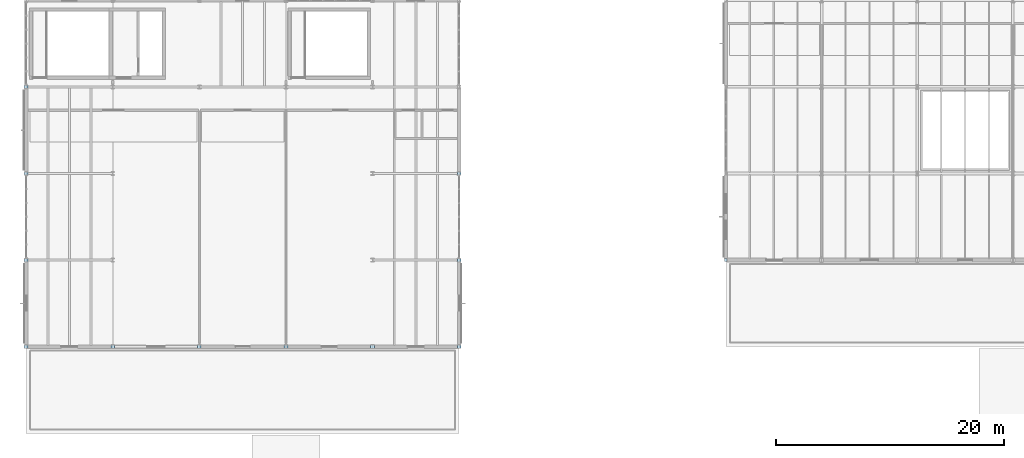
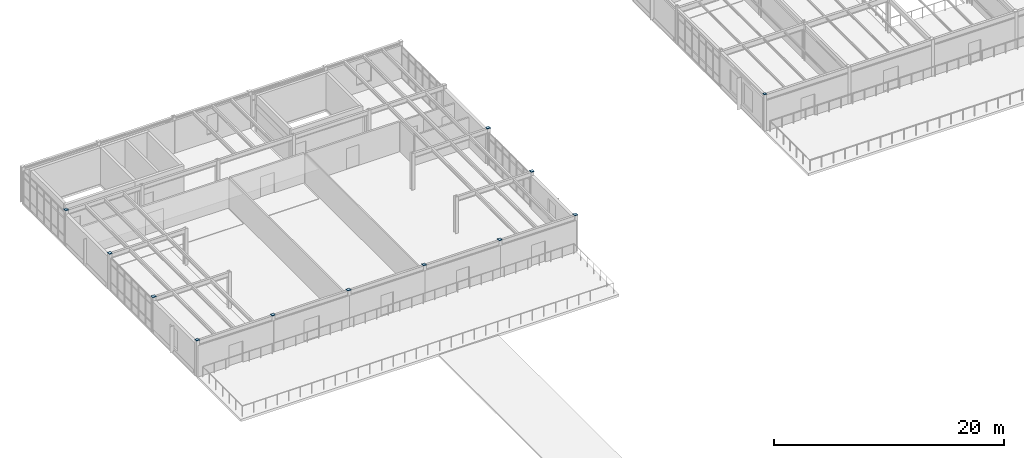
# One storey, part 80 of 114: 12 plates.
"""IFC4 building model written with IfcOpenShell, lengths in metres."""

from ifc_helpers import new_model, si_unit, direction, frame, origin, origin_2d, place, context, subcontext, project, spatial, rectangle, extrude, material, layer, layer_set, type_object, element, save


model = new_model("IFC4")

# Units and contexts
model_context = context("Model", 3, precision=1e-05, world=origin(), true_north=direction((0.0, 1.0)))
body_context = subcontext(model_context, "Body", "Model", "MODEL_VIEW")
ifc_project = project(units=[si_unit("LENGTHUNIT", "METRE"), si_unit("AREAUNIT", "SQUARE_METRE"), si_unit("VOLUMEUNIT", "CUBIC_METRE"), si_unit("PLANEANGLEUNIT", "RADIAN"), si_unit("MASSUNIT", "GRAM", prefix="KILO")], contexts=[model_context])

# Site, building, storey
site_placement = place(None, origin())
site = spatial("IfcSite", under=ifc_project, at=site_placement, CompositionType="ELEMENT")
building_placement = place(site_placement, origin())
building = spatial("IfcBuilding", under=site, at=building_placement, Name="Montecoro Central Library", CompositionType="ELEMENT")
storey_placement = place(building_placement, frame((0.0, 0.0, 13.260009765625)))
storey = spatial("IfcBuildingStorey", under=building, at=storey_placement, Name="L03", CompositionType="ELEMENT", Elevation=13.260009765625)

# Plates
ifc_material = material(Name="Steel S355", Category="steel")
ifc_layer = layer(ifc_material, 0.01611328125)
ifc_layer_set = layer_set([ifc_layer], Name="Steel S355")
plate_type = type_object("IfcPlateType", Name="PLT-CAP-16", PredefinedType="SHEET", material=ifc_layer_set)
plate_placement = place(storey_placement, frame((66.39990234375, 88.60009765625, 3.885009765625), z_axis=(0.0, 0.0, 1.0), x_axis=(1.0, 0.0, 0.0)))
element("IfcPlate", 1, at=plate_placement, inside=storey, type_object=plate_type, Name="V2-L03-CAPPL-9-M", PredefinedType="SHEET", context=body_context, shape_type="SweptSolid", body=[
    extrude(rectangle(XDim=0.239990234375, YDim=0.239990234375, at=origin_2d()), origin(), (0.0, 0.0, 1.0), 0.01611328125),
])
for number, where, z_axis, x_axis, name in (
    (2, (5.0, 81.0, 3.869873046875), (0.0, 0.0, 1.0), (1.0, 0.0, 0.0), "V4-L03-CAPPL-1-L"),
    (3, (5.0, 88.60009765625, 3.869873046875), (0.0, 0.0, 1.0), (1.0, 0.0, 0.0), "V4-L03-CAPPL-1-M"),
    (4, (5.0, 96.199951171875, 3.869873046875), (0.0, 0.0, 1.0), (1.0, 0.0, 0.0), "V4-L03-CAPPL-1-N"),
    (5, (5.0, 103.800048828125, 3.869873046875), (0.0, 0.0, 1.0), (1.0, 0.0, 0.0), "V4-L03-CAPPL-1-P"),
    (6, (12.60009765625, 81.0, 3.869873046875), (0.0, 0.0, 1.0), (1.0, 0.0, 0.0), "V4-L03-CAPPL-2-L"),
    (7, (20.199951171875, 81.0, 3.869873046875), (0.0, 0.0, 1.0), (1.0, 0.0, 0.0), "V4-L03-CAPPL-3-L"),
    (8, (27.800048828125, 81.0, 3.869873046875), (0.0, 0.0, 1.0), (1.0, 0.0, 0.0), "V4-L03-CAPPL-4-L"),
    (9, (35.39990234375, 81.0, 3.869873046875), (0.0, 0.0, 1.0), (1.0, 0.0, 0.0), "V4-L03-CAPPL-5-L"),
    (10, (43.0, 81.0, 3.869873046875), (0.0, 0.0, 1.0), (1.0, 0.0, 0.0), "V4-L03-CAPPL-6-L"),
    (11, (43.0, 88.60009765625, 3.869873046875), (0.0, 0.0, 1.0), (1.0, 0.0, 0.0), "V4-L03-CAPPL-6-M"),
    (12, (43.0, 96.199951171875, 3.869873046875), (0.0, 0.0, 1.0), (1.0, 0.0, 0.0), "V4-L03-CAPPL-6-N"),
):
    element("IfcPlate", number, at=place(storey_placement, frame(where, z_axis=z_axis, x_axis=x_axis)), inside=storey, type_object=plate_type, Name=name, PredefinedType="SHEET", context=body_context, shape_type="SweptSolid", body=[
        extrude(rectangle(XDim=0.320068359375, YDim=0.320068359375, at=origin_2d()), origin(), (0.0, 0.0, 1.0), 0.01611328125),
    ])

save(model, "model.ifc")
